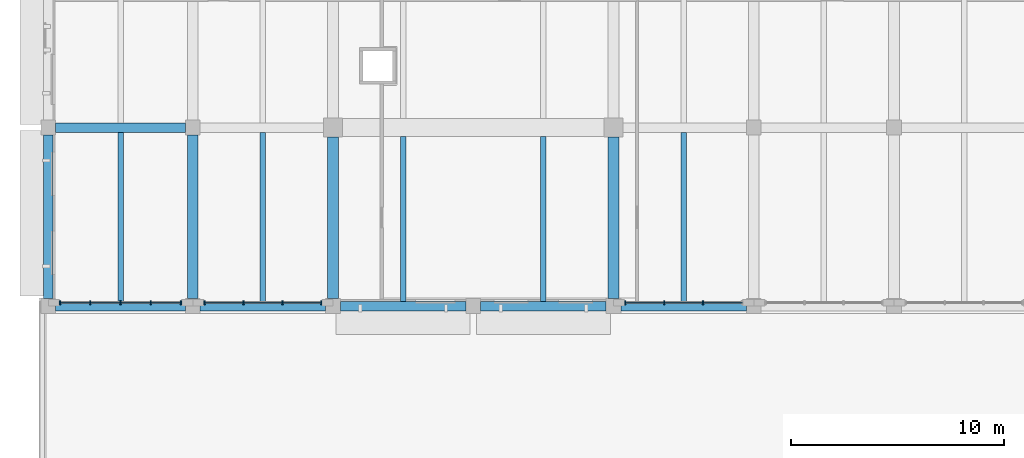
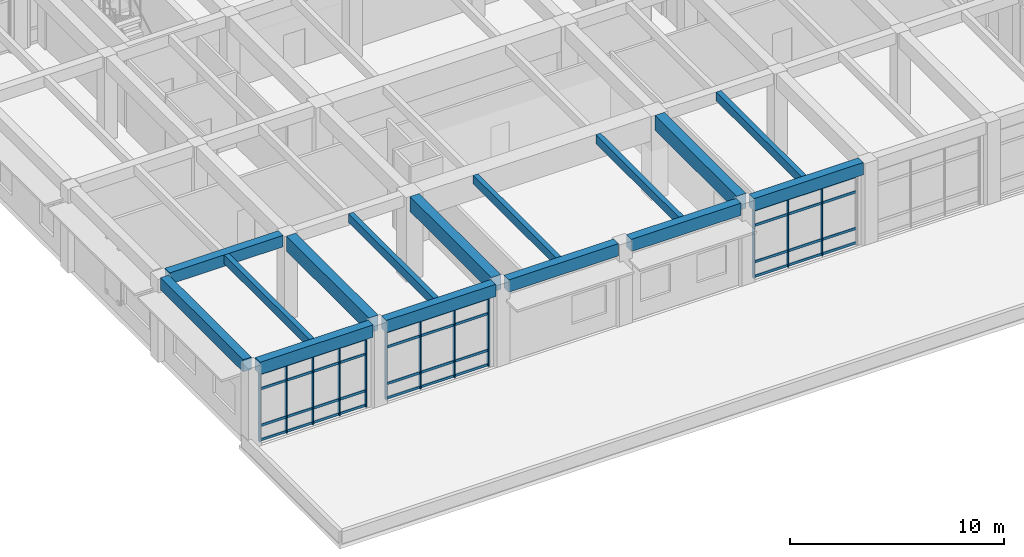
# One storey, part 6 of 75: 24 members, 15 beams, 3 elements without a shape of their own.
"""IFC4 building model written with IfcOpenShell, lengths in metres."""

from ifc_helpers import new_model, si_unit, direction, frame, origin, origin_2d, place, context, subcontext, project, spatial, rectangle, extrude, material, layer, layer_set, material_profile, profile_set, type_object, element, aggregate, save


model = new_model("IFC4")

# Units and contexts
model_context = context("Model", 3, precision=1e-05, world=origin(), true_north=direction((0.0, 1.0)))
body_context = subcontext(model_context, "Body", "Model", "MODEL_VIEW")
ifc_project = project(units=[si_unit("LENGTHUNIT", "METRE"), si_unit("AREAUNIT", "SQUARE_METRE"), si_unit("VOLUMEUNIT", "CUBIC_METRE"), si_unit("PLANEANGLEUNIT", "RADIAN"), si_unit("MASSUNIT", "GRAM", prefix="KILO")], contexts=[model_context])

# Site, building, storey
site_placement = place(None, origin())
site = spatial("IfcSite", under=ifc_project, at=site_placement, CompositionType="ELEMENT")
building_placement = place(site_placement, origin())
building = spatial("IfcBuilding", under=site, at=building_placement, Name="Kolvaren Faculty of Natural Sciences", CompositionType="ELEMENT")
storey_placement = place(building_placement, frame((0.0, 0.0, 5.39990234375)))
storey = spatial("IfcBuildingStorey", under=building, at=storey_placement, Name="L01", CompositionType="ELEMENT", Elevation=5.39990234375)

# Curtain wall, members
ifc_material_1 = material(Name="Thermally broken anodised aluminium framing", Category="aluminium")
ifc_layer = layer(ifc_material_1, 0.179931640625)
ifc_layer_set = layer_set([ifc_layer], Name="Thermally broken anodised aluminium framing")
curtain_wall_type = type_object("IfcCurtainWallType", Name="CommonsCurtainWall_CW02", PredefinedType="NOTDEFINED", material=ifc_layer_set)
curtain_wall_1_placement = place(storey_placement, origin())
curtain_wall_1 = element("IfcCurtainWall", 1, at=curtain_wall_1_placement, inside=storey, type_object=curtain_wall_type, Name="L01 unitised curtain wall CW-02 (CW-L01-020)", PredefinedType="NOTDEFINED")
ifc_material_profile_1 = material_profile(ifc_material_1, rectangle(XDim=0.06005859375, YDim=0.179931640625, at=origin_2d()), Name="ALU MUL 60x180")
ifc_profile_set_1 = profile_set([ifc_material_profile_1], Name="Thermally broken anodised aluminium framing")
member_type_1 = type_object("IfcMemberType", Name="CurtainMullion_60x180", PredefinedType="MULLION", material=ifc_profile_set_1)
member_1_placement = place(storey_placement, frame((30.816650390625, 8.760009765625, 0.0), z_axis=(0.0, 0.0, 1.0), x_axis=(-1.0, 0.0, 0.0)))
member_1 = element("IfcMember", 2, at=member_1_placement, type_object=member_type_1, Name="CW-L01-020 vertical mullion 2", PredefinedType="MULLION", context=body_context, shape_type="SweptSolid", body=[
    extrude(rectangle(XDim=0.06005859375, YDim=0.179931640625, at=origin_2d()), origin(), (0.0, 0.0, 1.0), 3.93505859375),
])
member_2_placement = place(storey_placement, frame((28.9833984375, 8.760009765625, 0.0), z_axis=(0.0, 0.0, 1.0), x_axis=(-1.0, 0.0, 0.0)))
member_2 = element("IfcMember", 3, at=member_2_placement, type_object=member_type_1, Name="CW-L01-020 vertical mullion 3", PredefinedType="MULLION", context=body_context, shape_type="SweptSolid", body=[
    extrude(rectangle(XDim=0.06005859375, YDim=0.179931640625, at=origin_2d()), origin(), (0.0, 0.0, 1.0), 3.93505859375),
])
member_3_placement = place(storey_placement, frame((27.14990234375, 8.760009765625, 0.0), z_axis=(0.0, 0.0, 1.0), x_axis=(-1.0, 0.0, 0.0)))
member_3 = element("IfcMember", 4, at=member_3_placement, type_object=member_type_1, Name="CW-L01-020 vertical mullion 4", PredefinedType="MULLION", context=body_context, shape_type="SweptSolid", body=[
    extrude(rectangle(XDim=0.06005859375, YDim=0.179931640625, at=origin_2d()), origin(), (0.0, 0.0, 1.0), 3.93505859375),
])

curtain_wall_2_placement = place(storey_placement, origin())
curtain_wall_2 = element("IfcCurtainWall", 5, at=curtain_wall_2_placement, inside=storey, type_object=curtain_wall_type, Name="L01 unitised curtain wall CW-02 (CW-L01-021)", PredefinedType="NOTDEFINED")
member_4_placement = place(storey_placement, frame((12.85009765625, 8.760009765625, 0.0), z_axis=(0.0, 0.0, 1.0), x_axis=(-1.0, 0.0, 0.0)))
member_4 = element("IfcMember", 6, at=member_4_placement, type_object=member_type_1, Name="CW-L01-021 vertical mullion 1", PredefinedType="MULLION", context=body_context, shape_type="SweptSolid", body=[
    extrude(rectangle(XDim=0.06005859375, YDim=0.179931640625, at=origin_2d()), origin(), (0.0, 0.0, 1.0), 3.93505859375),
])
member_5_placement = place(storey_placement, frame((11.0166015625, 8.760009765625, 0.0), z_axis=(0.0, 0.0, 1.0), x_axis=(-1.0, 0.0, 0.0)))
member_5 = element("IfcMember", 7, at=member_5_placement, type_object=member_type_1, Name="CW-L01-021 vertical mullion 2", PredefinedType="MULLION", context=body_context, shape_type="SweptSolid", body=[
    extrude(rectangle(XDim=0.06005859375, YDim=0.179931640625, at=origin_2d()), origin(), (0.0, 0.0, 1.0), 3.93505859375),
])
member_6_placement = place(storey_placement, frame((9.183349609375, 8.760009765625, 0.0), z_axis=(0.0, 0.0, 1.0), x_axis=(-1.0, 0.0, 0.0)))
member_6 = element("IfcMember", 8, at=member_6_placement, type_object=member_type_1, Name="CW-L01-021 vertical mullion 3", PredefinedType="MULLION", context=body_context, shape_type="SweptSolid", body=[
    extrude(rectangle(XDim=0.06005859375, YDim=0.179931640625, at=origin_2d()), origin(), (0.0, 0.0, 1.0), 3.93505859375),
])
member_7_placement = place(storey_placement, frame((7.35009765625, 8.760009765625, 0.0), z_axis=(0.0, 0.0, 1.0), x_axis=(-1.0, 0.0, 0.0)))
member_7 = element("IfcMember", 9, at=member_7_placement, type_object=member_type_1, Name="CW-L01-021 vertical mullion 4", PredefinedType="MULLION", context=body_context, shape_type="SweptSolid", body=[
    extrude(rectangle(XDim=0.06005859375, YDim=0.179931640625, at=origin_2d()), origin(), (0.0, 0.0, 1.0), 3.93505859375),
])

curtain_wall_3_placement = place(storey_placement, origin())
curtain_wall_3 = element("IfcCurtainWall", 10, at=curtain_wall_3_placement, inside=storey, type_object=curtain_wall_type, Name="L01 unitised curtain wall CW-02 (CW-L01-022)", PredefinedType="NOTDEFINED")
member_8_placement = place(storey_placement, frame((6.25, 8.760009765625, 0.0), z_axis=(0.0, 0.0, 1.0), x_axis=(-1.0, 0.0, 0.0)))
member_8 = element("IfcMember", 11, at=member_8_placement, type_object=member_type_1, Name="CW-L01-022 vertical mullion 1", PredefinedType="MULLION", context=body_context, shape_type="SweptSolid", body=[
    extrude(rectangle(XDim=0.06005859375, YDim=0.179931640625, at=origin_2d()), origin(), (0.0, 0.0, 1.0), 3.93505859375),
])
member_9_placement = place(storey_placement, frame((4.824951171875, 8.760009765625, 0.0), z_axis=(0.0, 0.0, 1.0), x_axis=(-1.0, 0.0, 0.0)))
member_9 = element("IfcMember", 12, at=member_9_placement, type_object=member_type_1, Name="CW-L01-022 vertical mullion 2", PredefinedType="MULLION", context=body_context, shape_type="SweptSolid", body=[
    extrude(rectangle(XDim=0.06005859375, YDim=0.179931640625, at=origin_2d()), origin(), (0.0, 0.0, 1.0), 3.93505859375),
])
member_10_placement = place(storey_placement, frame((3.39990234375, 8.760009765625, 0.0), z_axis=(0.0, 0.0, 1.0), x_axis=(-1.0, 0.0, 0.0)))
member_10 = element("IfcMember", 13, at=member_10_placement, type_object=member_type_1, Name="CW-L01-022 vertical mullion 3", PredefinedType="MULLION", context=body_context, shape_type="SweptSolid", body=[
    extrude(rectangle(XDim=0.06005859375, YDim=0.179931640625, at=origin_2d()), origin(), (0.0, 0.0, 1.0), 3.93505859375),
])
member_11_placement = place(storey_placement, frame((1.97509765625, 8.760009765625, 0.0), z_axis=(0.0, 0.0, 1.0), x_axis=(-1.0, 0.0, 0.0)))
member_11 = element("IfcMember", 14, at=member_11_placement, type_object=member_type_1, Name="CW-L01-022 vertical mullion 4", PredefinedType="MULLION", context=body_context, shape_type="SweptSolid", body=[
    extrude(rectangle(XDim=0.06005859375, YDim=0.179931640625, at=origin_2d()), origin(), (0.0, 0.0, 1.0), 3.93505859375),
])
member_12_placement = place(storey_placement, frame((0.550048828125, 8.760009765625, 0.0), z_axis=(0.0, 0.0, 1.0), x_axis=(-1.0, 0.0, 0.0)))
member_12 = element("IfcMember", 15, at=member_12_placement, type_object=member_type_1, Name="CW-L01-022 vertical mullion 5", PredefinedType="MULLION", context=body_context, shape_type="SweptSolid", body=[
    extrude(rectangle(XDim=0.06005859375, YDim=0.179931640625, at=origin_2d()), origin(), (0.0, 0.0, 1.0), 3.93505859375),
])

# Member
ifc_material_profile_2 = material_profile(ifc_material_1, rectangle(XDim=0.06005859375, YDim=0.139892578125, at=origin_2d()), Name="ALU TRN 60x140")
ifc_profile_set_2 = profile_set([ifc_material_profile_2], Name="Thermally broken anodised aluminium framing")
member_type_2 = type_object("IfcMemberType", Name="CurtainTransom_60x140", PredefinedType="USERDEFINED", material=ifc_profile_set_2)
member_13_placement = place(storey_placement, frame((32.64990234375, 8.760009765625, 0.080078125), z_axis=(-1.0, 0.0, 0.0), x_axis=(0.0, -1.0, 0.0)))
member_13 = element("IfcMember", 16, at=member_13_placement, type_object=member_type_2, Name="CW-L01-020 horizontal transom 1", ObjectType="TRANSOM", PredefinedType="USERDEFINED", context=body_context, shape_type="SweptSolid", body=[
    extrude(rectangle(XDim=0.06005859375, YDim=0.139892578125, at=origin_2d()), origin(), (0.0, 0.0, 1.0), 5.5),
])

member_14_placement = place(storey_placement, frame((32.64990234375, 8.760009765625, 0.900146484375), z_axis=(-1.0, 0.0, 0.0), x_axis=(0.0, -1.0, 0.0)))
member_14 = element("IfcMember", 17, at=member_14_placement, type_object=member_type_2, Name="CW-L01-020 horizontal transom 2", ObjectType="TRANSOM", PredefinedType="USERDEFINED", context=body_context, shape_type="SweptSolid", body=[
    extrude(rectangle(XDim=0.06005859375, YDim=0.139892578125, at=origin_2d()), origin(), (0.0, 0.0, 1.0), 5.5),
])

member_15_placement = place(storey_placement, frame((32.64990234375, 8.760009765625, 2.985107421875), z_axis=(-1.0, 0.0, 0.0), x_axis=(0.0, -1.0, 0.0)))
member_15 = element("IfcMember", 18, at=member_15_placement, type_object=member_type_2, Name="CW-L01-020 horizontal transom 3", ObjectType="TRANSOM", PredefinedType="USERDEFINED", context=body_context, shape_type="SweptSolid", body=[
    extrude(rectangle(XDim=0.06005859375, YDim=0.139892578125, at=origin_2d()), origin(), (0.0, 0.0, 1.0), 5.5),
])

member_16_placement = place(storey_placement, frame((32.64990234375, 8.760009765625, 3.85498046875), z_axis=(-1.0, 0.0, 0.0), x_axis=(0.0, -1.0, 0.0)))
member_16 = element("IfcMember", 19, at=member_16_placement, type_object=member_type_2, Name="CW-L01-020 horizontal transom 4", ObjectType="TRANSOM", PredefinedType="USERDEFINED", context=body_context, shape_type="SweptSolid", body=[
    extrude(rectangle(XDim=0.06005859375, YDim=0.139892578125, at=origin_2d()), origin(), (0.0, 0.0, 1.0), 5.5),
])

aggregate(curtain_wall_1, [member_1, member_2, member_3, member_13, member_14, member_15, member_16])

member_17_placement = place(storey_placement, frame((12.85009765625, 8.760009765625, 0.080078125), z_axis=(-1.0, 0.0, 0.0), x_axis=(0.0, -1.0, 0.0)))
member_17 = element("IfcMember", 20, at=member_17_placement, type_object=member_type_2, Name="CW-L01-021 horizontal transom 1", ObjectType="TRANSOM", PredefinedType="USERDEFINED", context=body_context, shape_type="SweptSolid", body=[
    extrude(rectangle(XDim=0.06005859375, YDim=0.139892578125, at=origin_2d()), origin(), (0.0, 0.0, 1.0), 5.5),
])

member_18_placement = place(storey_placement, frame((12.85009765625, 8.760009765625, 0.900146484375), z_axis=(-1.0, 0.0, 0.0), x_axis=(0.0, -1.0, 0.0)))
member_18 = element("IfcMember", 21, at=member_18_placement, type_object=member_type_2, Name="CW-L01-021 horizontal transom 2", ObjectType="TRANSOM", PredefinedType="USERDEFINED", context=body_context, shape_type="SweptSolid", body=[
    extrude(rectangle(XDim=0.06005859375, YDim=0.139892578125, at=origin_2d()), origin(), (0.0, 0.0, 1.0), 5.5),
])

member_19_placement = place(storey_placement, frame((12.85009765625, 8.760009765625, 2.985107421875), z_axis=(-1.0, 0.0, 0.0), x_axis=(0.0, -1.0, 0.0)))
member_19 = element("IfcMember", 22, at=member_19_placement, type_object=member_type_2, Name="CW-L01-021 horizontal transom 3", ObjectType="TRANSOM", PredefinedType="USERDEFINED", context=body_context, shape_type="SweptSolid", body=[
    extrude(rectangle(XDim=0.06005859375, YDim=0.139892578125, at=origin_2d()), origin(), (0.0, 0.0, 1.0), 5.5),
])

member_20_placement = place(storey_placement, frame((12.85009765625, 8.760009765625, 3.85498046875), z_axis=(-1.0, 0.0, 0.0), x_axis=(0.0, -1.0, 0.0)))
member_20 = element("IfcMember", 23, at=member_20_placement, type_object=member_type_2, Name="CW-L01-021 horizontal transom 4", ObjectType="TRANSOM", PredefinedType="USERDEFINED", context=body_context, shape_type="SweptSolid", body=[
    extrude(rectangle(XDim=0.06005859375, YDim=0.139892578125, at=origin_2d()), origin(), (0.0, 0.0, 1.0), 5.5),
])

aggregate(curtain_wall_2, [member_4, member_5, member_6, member_7, member_17, member_18, member_19, member_20])

member_21_placement = place(storey_placement, frame((6.25, 8.760009765625, 0.080078125), z_axis=(-1.0, 0.0, 0.0), x_axis=(0.0, -1.0, 0.0)))
member_21 = element("IfcMember", 24, at=member_21_placement, type_object=member_type_2, Name="CW-L01-022 horizontal transom 1", ObjectType="TRANSOM", PredefinedType="USERDEFINED", context=body_context, shape_type="SweptSolid", body=[
    extrude(rectangle(XDim=0.06005859375, YDim=0.139892578125, at=origin_2d()), origin(), (0.0, 0.0, 1.0), 5.699951171875),
])

member_22_placement = place(storey_placement, frame((6.25, 8.760009765625, 0.900146484375), z_axis=(-1.0, 0.0, 0.0), x_axis=(0.0, -1.0, 0.0)))
member_22 = element("IfcMember", 25, at=member_22_placement, type_object=member_type_2, Name="CW-L01-022 horizontal transom 2", ObjectType="TRANSOM", PredefinedType="USERDEFINED", context=body_context, shape_type="SweptSolid", body=[
    extrude(rectangle(XDim=0.06005859375, YDim=0.139892578125, at=origin_2d()), origin(), (0.0, 0.0, 1.0), 5.699951171875),
])

member_23_placement = place(storey_placement, frame((6.25, 8.760009765625, 2.985107421875), z_axis=(-1.0, 0.0, 0.0), x_axis=(0.0, -1.0, 0.0)))
member_23 = element("IfcMember", 26, at=member_23_placement, type_object=member_type_2, Name="CW-L01-022 horizontal transom 3", ObjectType="TRANSOM", PredefinedType="USERDEFINED", context=body_context, shape_type="SweptSolid", body=[
    extrude(rectangle(XDim=0.06005859375, YDim=0.139892578125, at=origin_2d()), origin(), (0.0, 0.0, 1.0), 5.699951171875),
])

member_24_placement = place(storey_placement, frame((6.25, 8.760009765625, 3.85498046875), z_axis=(-1.0, 0.0, 0.0), x_axis=(0.0, -1.0, 0.0)))
member_24 = element("IfcMember", 27, at=member_24_placement, type_object=member_type_2, Name="CW-L01-022 horizontal transom 4", ObjectType="TRANSOM", PredefinedType="USERDEFINED", context=body_context, shape_type="SweptSolid", body=[
    extrude(rectangle(XDim=0.06005859375, YDim=0.139892578125, at=origin_2d()), origin(), (0.0, 0.0, 1.0), 5.699951171875),
])

aggregate(curtain_wall_3, [member_8, member_9, member_10, member_11, member_12, member_21, member_22, member_23, member_24])

# Beams
ifc_material_2 = material(Name="Concrete C35/45", Category="concrete")
ifc_material_profile_3 = material_profile(ifc_material_2, rectangle(XDim=0.449951171875, YDim=0.64990234375, at=origin_2d()), Name="RC BM 450x650")
ifc_profile_set_3 = profile_set([ifc_material_profile_3], Name="Concrete C35/45")
beam_type_1 = type_object("IfcBeamType", Name="GridBeam_450x650", PredefinedType="BEAM", material=ifc_profile_set_3)
beam_1_placement = place(storey_placement, frame((0.35009765625, 17.0, 4.47509765625), z_axis=(1.0, 0.0, 0.0), x_axis=(0.0, 1.0, 0.0)))
element("IfcBeam", 28, at=beam_1_placement, inside=storey, type_object=beam_type_1, Name="L01 beam BM-65 on grid C", PredefinedType="BEAM", context=body_context, shape_type="SweptSolid", body=[
    extrude(rectangle(XDim=0.449951171875, YDim=0.64990234375, at=origin_2d()), origin(), (0.0, 0.0, 1.0), 6.099853515625),
])
ifc_material_profile_4 = material_profile(ifc_material_2, rectangle(XDim=0.260009765625, YDim=0.5, at=origin_2d()), Name="RC JST 260x500")
ifc_profile_set_4 = profile_set([ifc_material_profile_4], Name="Concrete C35/45")
beam_type_2 = type_object("IfcBeamType", Name="LabRibJoist_260x500", PredefinedType="JOIST", material=ifc_profile_set_4)
for number, where, z_axis, x_axis, name in (
    (29, (3.39990234375, 8.824951171875, 4.550048828125), (0.0, 1.0, 0.0), (-1.0, 0.0, 0.0), "L01 ribbed laboratory slab joist JS-50"),
    (30, (10.10009765625, 8.824951171875, 4.550048828125), (0.0, 1.0, 0.0), (-1.0, 0.0, 0.0), "L01 ribbed laboratory slab joist JS-50"),
):
    element("IfcBeam", number, at=place(storey_placement, frame(where, z_axis=z_axis, x_axis=x_axis)), inside=storey, type_object=beam_type_2, Name=name, PredefinedType="JOIST", context=body_context, shape_type="SweptSolid", body=[
        extrude(rectangle(XDim=0.260009765625, YDim=0.5, at=origin_2d()), origin(), (0.0, 0.0, 1.0), 7.949951171875),
    ])
for number, where, z_axis, x_axis, name in (
    (31, (16.699951171875, 8.824951171875, 4.550048828125), (0.0, 1.0, 0.0), (-1.0, 0.0, 0.0), "L01 ribbed laboratory slab joist JS-50"),
    (32, (23.300048828125, 8.824951171875, 4.550048828125), (0.0, 1.0, 0.0), (-1.0, 0.0, 0.0), "L01 ribbed laboratory slab joist JS-50"),
):
    element("IfcBeam", number, at=place(storey_placement, frame(where, z_axis=z_axis, x_axis=x_axis)), inside=storey, type_object=beam_type_2, Name=name, PredefinedType="JOIST", context=body_context, shape_type="SweptSolid", body=[
        extrude(rectangle(XDim=0.260009765625, YDim=0.5, at=origin_2d()), origin(), (0.0, 0.0, 1.0), 7.75),
    ])
beam_2_placement = place(storey_placement, frame((29.89990234375, 8.824951171875, 4.550048828125), z_axis=(0.0, 1.0, 0.0), x_axis=(-1.0, 0.0, 0.0)))
element("IfcBeam", 33, at=beam_2_placement, inside=storey, type_object=beam_type_2, Name="L01 ribbed laboratory slab joist JS-50", PredefinedType="JOIST", context=body_context, shape_type="SweptSolid", body=[
    extrude(rectangle(XDim=0.260009765625, YDim=0.5, at=origin_2d()), origin(), (0.0, 0.0, 1.0), 7.949951171875),
])
ifc_material_profile_5 = material_profile(ifc_material_2, rectangle(XDim=0.449951171875, YDim=0.699951171875, at=origin_2d()), Name="RC SP 450x700")
ifc_profile_set_5 = profile_set([ifc_material_profile_5], Name="Concrete C35/45")
beam_type_3 = type_object("IfcBeamType", Name="PerimeterSpandrel_450x700", PredefinedType="SPANDREL", material=ifc_profile_set_5)
beam_3_placement = place(storey_placement, frame((0.35009765625, 8.60009765625, 4.4501953125), z_axis=(1.0, 0.0, 0.0), x_axis=(0.0, 1.0, 0.0)))
element("IfcBeam", 34, at=beam_3_placement, inside=storey, type_object=beam_type_3, Name="L01 spandrel SP-70 on grid B", PredefinedType="SPANDREL", context=body_context, shape_type="SweptSolid", body=[
    extrude(rectangle(XDim=0.449951171875, YDim=0.699951171875, at=origin_2d()), origin(), (0.0, 0.0, 1.0), 6.099853515625),
])
beam_4_placement = place(storey_placement, frame((7.14990234375, 8.60009765625, 4.4501953125), z_axis=(1.0, 0.0, 0.0), x_axis=(0.0, 1.0, 0.0)))
element("IfcBeam", 35, at=beam_4_placement, inside=storey, type_object=beam_type_3, Name="L01 spandrel SP-70 on grid B", PredefinedType="SPANDREL", context=body_context, shape_type="SweptSolid", body=[
    extrude(rectangle(XDim=0.449951171875, YDim=0.699951171875, at=origin_2d()), origin(), (0.0, 0.0, 1.0), 5.900146484375),
])
for number, where, z_axis, x_axis, name in (
    (36, (13.75, 8.60009765625, 4.4501953125), (1.0, 0.0, 0.0), (0.0, 1.0, 0.0), "L01 spandrel SP-70 on grid B"),
    (37, (20.35009765625, 8.60009765625, 4.4501953125), (1.0, 0.0, 0.0), (0.0, 1.0, 0.0), "L01 spandrel SP-70 on grid B"),
):
    element("IfcBeam", number, at=place(storey_placement, frame(where, z_axis=z_axis, x_axis=x_axis)), inside=storey, type_object=beam_type_3, Name=name, PredefinedType="SPANDREL", context=body_context, shape_type="SweptSolid", body=[
        extrude(rectangle(XDim=0.449951171875, YDim=0.699951171875, at=origin_2d()), origin(), (0.0, 0.0, 1.0), 5.89990234375),
    ])
beam_5_placement = place(storey_placement, frame((26.949951171875, 8.60009765625, 4.4501953125), z_axis=(1.0, 0.0, 0.0), x_axis=(0.0, 1.0, 0.0)))
element("IfcBeam", 38, at=beam_5_placement, inside=storey, type_object=beam_type_3, Name="L01 spandrel SP-70 on grid B", PredefinedType="SPANDREL", context=body_context, shape_type="SweptSolid", body=[
    extrude(rectangle(XDim=0.449951171875, YDim=0.699951171875, at=origin_2d()), origin(), (0.0, 0.0, 1.0), 5.900146484375),
])
beam_6_placement = place(storey_placement, frame((0.0, 8.949951171875, 4.4501953125), z_axis=(0.0, 1.0, 0.0), x_axis=(-1.0, 0.0, 0.0)))
element("IfcBeam", 39, at=beam_6_placement, inside=storey, type_object=beam_type_3, Name="L01 girder SP-70 on grid 1", PredefinedType="SPANDREL", context=body_context, shape_type="SweptSolid", body=[
    extrude(rectangle(XDim=0.449951171875, YDim=0.699951171875, at=origin_2d()), origin(), (0.0, 0.0, 1.0), 7.699951171875),
])
ifc_material_profile_6 = material_profile(ifc_material_2, rectangle(XDim=0.5, YDim=0.85009765625, at=origin_2d()), Name="RC BM 500x850")
ifc_profile_set_6 = profile_set([ifc_material_profile_6], Name="Concrete C35/45")
beam_type_4 = type_object("IfcBeamType", Name="PrimaryGirder_500x850", PredefinedType="BEAM", material=ifc_profile_set_6)
beam_7_placement = place(storey_placement, frame((6.800048828125, 8.949951171875, 4.375), z_axis=(0.0, 1.0, 0.0), x_axis=(-1.0, 0.0, 0.0)))
element("IfcBeam", 40, at=beam_7_placement, inside=storey, type_object=beam_type_4, Name="L01 girder BG-85 on grid 2", PredefinedType="BEAM", context=body_context, shape_type="SweptSolid", body=[
    extrude(rectangle(XDim=0.5, YDim=0.85009765625, at=origin_2d()), origin(), (0.0, 0.0, 1.0), 7.699951171875),
])
for number, where, z_axis, x_axis, name in (
    (41, (13.39990234375, 8.949951171875, 4.375), (0.0, 1.0, 0.0), (-1.0, 0.0, 0.0), "L01 girder BG-85 on grid 3"),
    (42, (26.60009765625, 8.949951171875, 4.375), (0.0, 1.0, 0.0), (-1.0, 0.0, 0.0), "L01 girder BG-85 on grid 5"),
):
    element("IfcBeam", number, at=place(storey_placement, frame(where, z_axis=z_axis, x_axis=x_axis)), inside=storey, type_object=beam_type_4, Name=name, PredefinedType="BEAM", context=body_context, shape_type="SweptSolid", body=[
        extrude(rectangle(XDim=0.5, YDim=0.85009765625, at=origin_2d()), origin(), (0.0, 0.0, 1.0), 7.60009765625),
    ])

save(model, "model.ifc")
